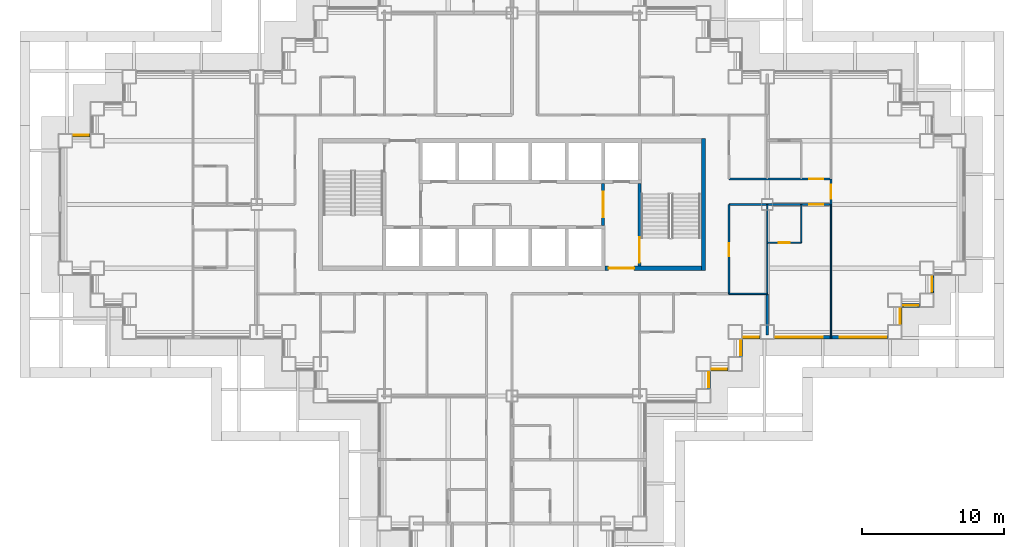
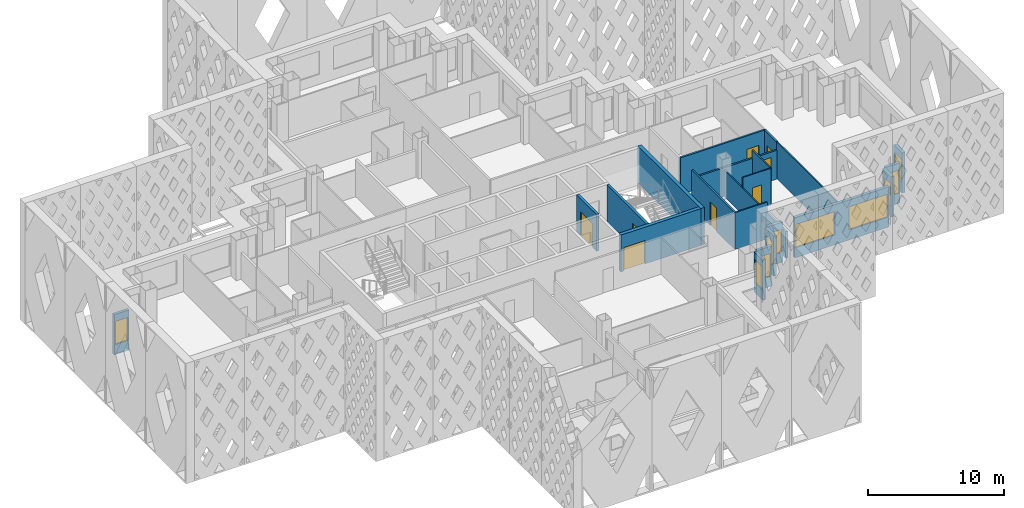
# One storey, part 6 of 19: 23 walls, 10 windows, 8 doors, 18 openings.
"""IFC4 building model written with IfcOpenShell, lengths in metres."""

from ifc_helpers import new_model, si_unit, direction, frame, frame_2d, origin, place, context, subcontext, project, spatial, rectangle, extrude, material, layer, layer_set, type_object, element, fill, save


model = new_model("IFC4")

# Units and contexts
model_context = context("Model", 3, precision=1e-05, world=origin(), true_north=direction((0.0, 1.0)))
body_context = subcontext(model_context, "Body", "Model", "MODEL_VIEW")
ifc_project = project(units=[si_unit("LENGTHUNIT", "METRE"), si_unit("AREAUNIT", "SQUARE_METRE"), si_unit("VOLUMEUNIT", "CUBIC_METRE"), si_unit("PLANEANGLEUNIT", "RADIAN"), si_unit("MASSUNIT", "GRAM", prefix="KILO")], contexts=[model_context])

# Site, building, storey
site_placement = place(None, origin())
site = spatial("IfcSite", under=ifc_project, at=site_placement, CompositionType="ELEMENT")
building_placement = place(site_placement, origin())
building = spatial("IfcBuilding", under=site, at=building_placement, Name="Caravel Reach Hotel and Residences", CompositionType="ELEMENT")
storey_placement = place(building_placement, frame((0.0, 0.0, 63.60009765625)))
storey = spatial("IfcBuildingStorey", under=building, at=storey_placement, Name="L14", CompositionType="ELEMENT", Elevation=63.60009765625)

# Wall, opening, door
ifc_material_1 = material(Name="Gypsum board on steel stud", Category="steel")
ifc_layer_1 = layer(ifc_material_1, 0.10009765625)
ifc_layer_set_1 = layer_set([ifc_layer_1], Name="Bathroom pod wall 100 mm")
wall_type_1 = type_object("IfcWallType", Name="Bathroom pod wall 100 mm", PredefinedType="PARTITIONING", material=ifc_layer_set_1)
wall_1_placement = place(storey_placement, frame((49.5, 24.300048828125, 0.0), z_axis=(0.0, 0.0, 1.0), x_axis=(1.0, 0.0, 0.0)))
wall_1 = element("IfcWall", 1, at=wall_1_placement, inside=storey, type_object=wall_type_1, Name="L14 wall w078", PredefinedType="PARTITIONING", context=body_context, shape_type="SweptSolid", body=[
    extrude(rectangle(XDim=2.39990234375, YDim=0.10009765625, at=frame_2d((1.199951171875, 0.0))), origin(), (0.0, 0.0, 1.0), 3.2998046875),
])
opening_1_placement = place(wall_1_placement, frame((0.800048828125, 0.0, 0.0)))
opening_1 = element("IfcOpeningElement", 2, at=opening_1_placement, cuts=wall_1, Name="Opening D14-020", PredefinedType="OPENING", context=body_context, shape_type="SweptSolid", body=[
    extrude(rectangle(XDim=0.800048828125, YDim=2.10009765625, at=frame_2d((0.39990234375, 1.050048828125))), frame((0.0, 0.06005859375, 0.0), z_axis=(0.0, -1.0, 0.0), x_axis=(1.0, 0.0, 0.0)), (0.0, 0.0, 1.0), 0.1201171875),
])
ifc_material_2 = material(Name="Timber and steel door leaf", Category="steel")
door_type_1 = type_object("IfcDoorType", Name="Bathroom door 800 x 2100", OperationType="SINGLE_SWING_LEFT", PredefinedType="DOOR", material=ifc_material_2)
door_1_placement = place(opening_1_placement, origin())
door_1 = element("IfcDoor", 3, at=door_1_placement, inside=storey, type_object=door_type_1, Name="door D14-020", OperationType="SINGLE_SWING_RIGHT", OverallHeight=2.10009765625, OverallWidth=0.800048828125, PredefinedType="DOOR", context=body_context, shape_type="SweptSolid", body=[
    extrude(rectangle(XDim=0.800048828125, YDim=2.10009765625, at=frame_2d((0.39990234375, 1.050048828125))), frame((0.0, 0.02490234375, 0.0), z_axis=(0.0, -1.0, 0.0), x_axis=(1.0, 0.0, 0.0)), (0.0, 0.0, 1.0), 0.050048828125),
])
fill(opening_1, door_1)

# Wall
wall_2_placement = place(storey_placement, frame((51.89990234375, 24.300048828125, 0.0), z_axis=(0.0, 0.0, 1.0), x_axis=(0.0, 1.0, 0.0)))
element("IfcWall", 4, at=wall_2_placement, inside=storey, type_object=wall_type_1, Name="L14 wall w104", PredefinedType="PARTITIONING", context=body_context, shape_type="SweptSolid", body=[
    extrude(rectangle(XDim=2.699951171875, YDim=0.10009765625, at=frame_2d((1.35009765625, 0.0))), origin(), (0.0, 0.0, 1.0), 3.2998046875),
])

# Wall, opening, door
ifc_material_3 = material(Name="Concrete C60", Category="concrete")
ifc_layer_2 = layer(ifc_material_3, 0.300048828125)
ifc_layer_set_2 = layer_set([ifc_layer_2], Name="Core wall 300 mm EI 120")
wall_type_2 = type_object("IfcWallType", Name="Core wall 300 mm EI 120", PredefinedType="SHEAR", material=ifc_layer_set_2)
wall_3_placement = place(storey_placement, frame((38.053466796875, 22.5, 0.0), z_axis=(0.0, 0.0, 1.0), x_axis=(1.0, 0.0, 0.0)))
wall_3 = element("IfcWall", 5, at=wall_3_placement, inside=storey, type_object=wall_type_2, Name="L14 core wall S2", PredefinedType="SHEAR", context=body_context, shape_type="SweptSolid", body=[
    extrude(rectangle(XDim=6.796630859375, YDim=0.300048828125, at=frame_2d((3.3984375, 0.0))), origin(), (0.0, 0.0, 1.0), 3.2998046875),
])
opening_2_placement = place(wall_3_placement, frame((0.2607421875, 0.0, 0.0)))
opening_2 = element("IfcOpeningElement", 6, at=opening_2_placement, cuts=wall_3, Name="Opening D14-014", PredefinedType="OPENING", context=body_context, shape_type="SweptSolid", body=[
    extrude(rectangle(XDim=1.800048828125, YDim=2.10009765625, at=frame_2d((0.89990234375, 1.050048828125))), frame((0.0, 0.159912109375, 0.0), z_axis=(0.0, -1.0, 0.0), x_axis=(1.0, 0.0, 0.0)), (0.0, 0.0, 1.0), 0.320068359375),
])
ifc_material_4 = material(Name="Steel fire door leaf", Category="steel")
door_type_2 = type_object("IfcDoorType", Name="Fire lobby door pair 1800 x 2100 EI 90", OperationType="DOUBLE_DOOR_SINGLE_SWING", PredefinedType="DOOR", material=ifc_material_4)
door_2_placement = place(opening_2_placement, origin())
door_2 = element("IfcDoor", 7, at=door_2_placement, inside=storey, type_object=door_type_2, Name="lobby S door pair to corridor", OperationType="DOUBLE_DOOR_SINGLE_SWING", OverallHeight=2.10009765625, OverallWidth=1.800048828125, PredefinedType="DOOR", context=body_context, shape_type="SweptSolid", body=[
    extrude(rectangle(XDim=1.800048828125, YDim=2.10009765625, at=frame_2d((0.89990234375, 1.050048828125))), frame((0.0, 0.02490234375, 0.0), z_axis=(0.0, -1.0, 0.0), x_axis=(1.0, 0.0, 0.0)), (0.0, 0.0, 1.0), 0.050048828125),
])
fill(opening_2, door_2)

# Wall
wall_4_placement = place(storey_placement, frame((45.0, 22.35009765625, 0.0), z_axis=(0.0, 0.0, 1.0), x_axis=(0.0, 1.0, 0.0)))
element("IfcWall", 8, at=wall_4_placement, inside=storey, type_object=wall_type_2, Name="L14 core wall E", PredefinedType="SHEAR", context=body_context, shape_type="SweptSolid", body=[
    extrude(rectangle(XDim=9.2998046875, YDim=0.300048828125, at=frame_2d((4.64990234375, 0.0))), origin(), (0.0, 0.0, 1.0), 3.2998046875),
])

# Wall, opening, door
ifc_material_5 = material(Name="Gypsum board on steel stud, fire-rated", Category="steel")
ifc_layer_3 = layer(ifc_material_5, 0.14990234375)
ifc_layer_set_3 = layer_set([ifc_layer_3], Name="Corridor wall 150 mm EI 60")
wall_type_3 = type_object("IfcWallType", Name="Corridor wall 150 mm EI 60", PredefinedType="PARTITIONING", material=ifc_layer_set_3)
wall_5_placement = place(storey_placement, frame((46.800048828125, 27.0, 0.0), z_axis=(0.0, 0.0, 1.0), x_axis=(1.0, 0.0, 0.0)))
wall_5 = element("IfcWall", 9, at=wall_5_placement, inside=storey, type_object=wall_type_3, Name="L14 wall w011", PredefinedType="PARTITIONING", context=body_context, shape_type="SweptSolid", body=[
    extrude(rectangle(XDim=7.199951171875, YDim=0.14990234375, at=frame_2d((3.60009765625, 0.0))), origin(), (0.0, 0.0, 1.0), 2.579833984375),
])
opening_3_placement = place(wall_5_placement, frame((5.64990234375, 0.0, 0.0)))
opening_3 = element("IfcOpeningElement", 10, at=opening_3_placement, cuts=wall_5, Name="Opening D14-019", PredefinedType="OPENING", context=body_context, shape_type="SweptSolid", body=[
    extrude(rectangle(XDim=1.0, YDim=2.10009765625, at=frame_2d((0.5, 1.050048828125))), frame((0.0, 0.0849609375, 0.0), z_axis=(0.0, -1.0, 0.0), x_axis=(1.0, 0.0, 0.0)), (0.0, 0.0, 1.0), 0.169921875),
])
ifc_material_6 = material(Name="Steel fire door leaf", Category="steel")
door_type_3 = type_object("IfcDoorType", Name="Guest room door 1000 x 2100 EI 30", OperationType="SINGLE_SWING_LEFT", PredefinedType="DOOR", material=ifc_material_6)
door_3_placement = place(opening_3_placement, origin())
door_3 = element("IfcDoor", 11, at=door_3_placement, inside=storey, type_object=door_type_3, Name="door D14-019", OperationType="SINGLE_SWING_RIGHT", OverallHeight=2.10009765625, OverallWidth=1.0, PredefinedType="DOOR", context=body_context, shape_type="SweptSolid", body=[
    extrude(rectangle(XDim=1.0, YDim=2.10009765625, at=frame_2d((0.5, 1.050048828125))), frame((0.0, 0.02490234375, 0.0), z_axis=(0.0, -1.0, 0.0), x_axis=(1.0, 0.0, 0.0)), (0.0, 0.0, 1.0), 0.050048828125),
])
fill(opening_3, door_3)

wall_6_placement = place(storey_placement, frame((46.800048828125, 28.800048828125, 0.0), z_axis=(0.0, 0.0, 1.0), x_axis=(1.0, 0.0, 0.0)))
wall_6 = element("IfcWall", 12, at=wall_6_placement, inside=storey, type_object=wall_type_3, Name="L14 wall w014", PredefinedType="PARTITIONING", context=body_context, shape_type="SweptSolid", body=[
    extrude(rectangle(XDim=7.199951171875, YDim=0.14990234375, at=frame_2d((3.60009765625, 0.0))), origin(), (0.0, 0.0, 1.0), 3.2998046875),
])
opening_4_placement = place(wall_6_placement, frame((5.64990234375, 0.0, 0.0)))
opening_4 = element("IfcOpeningElement", 13, at=opening_4_placement, cuts=wall_6, Name="Opening D14-021", PredefinedType="OPENING", context=body_context, shape_type="SweptSolid", body=[
    extrude(rectangle(XDim=1.0, YDim=2.10009765625, at=frame_2d((0.5, 1.050048828125))), frame((0.0, 0.0849609375, 0.0), z_axis=(0.0, -1.0, 0.0), x_axis=(1.0, 0.0, 0.0)), (0.0, 0.0, 1.0), 0.169921875),
])
door_4_placement = place(opening_4_placement, origin())
door_4 = element("IfcDoor", 14, at=door_4_placement, inside=storey, type_object=door_type_3, Name="door D14-021", OperationType="SINGLE_SWING_RIGHT", OverallHeight=2.10009765625, OverallWidth=1.0, PredefinedType="DOOR", context=body_context, shape_type="SweptSolid", body=[
    extrude(rectangle(XDim=1.0, YDim=2.10009765625, at=frame_2d((0.5, 1.050048828125))), frame((0.0, 0.02490234375, 0.0), z_axis=(0.0, -1.0, 0.0), x_axis=(1.0, 0.0, 0.0)), (0.0, 0.0, 1.0), 0.050048828125),
])
fill(opening_4, door_4)

wall_7_placement = place(storey_placement, frame((46.800048828125, 20.699951171875, 0.0), z_axis=(0.0, 0.0, 1.0), x_axis=(0.0, 1.0, 0.0)))
wall_7 = element("IfcWall", 15, at=wall_7_placement, inside=storey, type_object=wall_type_3, Name="L14 wall w035", PredefinedType="PARTITIONING", context=body_context, shape_type="SweptSolid", body=[
    extrude(rectangle(XDim=6.300048828125, YDim=0.14990234375, at=frame_2d((3.14990234375, 0.0))), origin(), (0.0, 0.0, 1.0), 3.2998046875),
])
opening_5_placement = place(wall_7_placement, frame((2.64990234375, 0.0, 0.0)))
opening_5 = element("IfcOpeningElement", 16, at=opening_5_placement, cuts=wall_7, Name="Opening D14-059", PredefinedType="OPENING", context=body_context, shape_type="SweptSolid", body=[
    extrude(rectangle(XDim=0.89990234375, YDim=2.10009765625, at=frame_2d((0.449951171875, 1.050048828125))), frame((0.0, 0.0849609375, 0.0), z_axis=(0.0, -1.0, 0.0), x_axis=(1.0, 0.0, 0.0)), (0.0, 0.0, 1.0), 0.169921875),
])
ifc_material_7 = material(Name="Timber and steel door leaf", Category="steel")
door_type_4 = type_object("IfcDoorType", Name="Door 900 x 2100 timber", OperationType="SINGLE_SWING_LEFT", PredefinedType="DOOR", material=ifc_material_7)
door_5_placement = place(opening_5_placement, origin())
door_5 = element("IfcDoor", 17, at=door_5_placement, inside=storey, type_object=door_type_4, Name="door D14-059", OperationType="SINGLE_SWING_LEFT", OverallHeight=2.10009765625, OverallWidth=0.89990234375, PredefinedType="DOOR", context=body_context, shape_type="SweptSolid", body=[
    extrude(rectangle(XDim=0.89990234375, YDim=2.10009765625, at=frame_2d((0.449951171875, 1.050048828125))), frame((0.0, 0.02490234375, 0.0), z_axis=(0.0, -1.0, 0.0), x_axis=(1.0, 0.0, 0.0)), (0.0, 0.0, 1.0), 0.050048828125),
])
fill(opening_5, door_5)

wall_8_placement = place(storey_placement, frame((54.0, 27.0, 0.0), z_axis=(0.0, 0.0, 1.0), x_axis=(0.0, 1.0, 0.0)))
wall_8 = element("IfcWall", 18, at=wall_8_placement, inside=storey, type_object=wall_type_3, Name="L14 wall w036", PredefinedType="PARTITIONING", context=body_context, shape_type="SweptSolid", body=[
    extrude(rectangle(XDim=1.800048828125, YDim=0.14990234375, at=frame_2d((0.89990234375, 0.0))), origin(), (0.0, 0.0, 1.0), 3.2998046875),
])
opening_6_placement = place(wall_8_placement, frame((0.39990234375, 0.0, 0.0)))
opening_6 = element("IfcOpeningElement", 19, at=opening_6_placement, cuts=wall_8, Name="Opening D14-038", PredefinedType="OPENING", context=body_context, shape_type="SweptSolid", body=[
    extrude(rectangle(XDim=1.0, YDim=2.10009765625, at=frame_2d((0.5, 1.050048828125))), frame((0.0, 0.0849609375, 0.0), z_axis=(0.0, -1.0, 0.0), x_axis=(1.0, 0.0, 0.0)), (0.0, 0.0, 1.0), 0.169921875),
])
door_6_placement = place(opening_6_placement, origin())
door_6 = element("IfcDoor", 20, at=door_6_placement, inside=storey, type_object=door_type_3, Name="door D14-038", OperationType="SINGLE_SWING_LEFT", OverallHeight=2.10009765625, OverallWidth=1.0, PredefinedType="DOOR", context=body_context, shape_type="SweptSolid", body=[
    extrude(rectangle(XDim=1.0, YDim=2.10009765625, at=frame_2d((0.5, 1.050048828125))), frame((0.0, 0.02490234375, 0.0), z_axis=(0.0, -1.0, 0.0), x_axis=(1.0, 0.0, 0.0)), (0.0, 0.0, 1.0), 0.050048828125),
])
fill(opening_6, door_6)

# Wall, opening, window
ifc_material_8 = material(Name="Insulated rainscreen wall, aluminium cladding", Category="aluminium")
ifc_layer_4 = layer(ifc_material_8, 0.25)
ifc_layer_set_4 = layer_set([ifc_layer_4], Name="EW1 Tower rainscreen wall")
wall_type_4 = type_object("IfcWallType", Name="EW1 Tower rainscreen wall", PredefinedType="SOLIDWALL", material=ifc_layer_set_4)
wall_9_placement = place(storey_placement, frame((45.375, 14.0, 0.0), z_axis=(0.0, 0.0, 1.0), x_axis=(0.0, 1.0, 0.0)))
wall_9 = element("IfcWall", 21, at=wall_9_placement, inside=storey, type_object=wall_type_4, Name="External wall L14 E12.1", PredefinedType="SOLIDWALL", context=body_context, shape_type="SweptSolid", body=[
    extrude(rectangle(XDim=1.25, YDim=0.25, at=frame_2d((0.625, 0.0))), origin(), (0.0, 0.0, 1.0), 3.599853515625),
])
opening_7_placement = place(wall_9_placement, frame((0.10009765625, 0.0, 0.89990234375)))
opening_7 = element("IfcOpeningElement", 22, at=opening_7_placement, cuts=wall_9, Name="Opening WN3", PredefinedType="OPENING", context=body_context, shape_type="SweptSolid", body=[
    extrude(rectangle(XDim=1.050048828125, YDim=2.080078125, at=frame_2d((0.52490234375, 1.0400390625))), frame((0.0, 0.135009765625, 0.0), z_axis=(0.0, -1.0, 0.0), x_axis=(1.0, 0.0, 0.0)), (0.0, 0.0, 1.0), 0.27001953125),
])
ifc_material_9 = material(Name="Dark low-e glazing in black aluminium frame", Category="aluminium")
window_type_1 = type_object("IfcWindowType", Name="Hotel suite corner window 1050 x 2080", PartitioningType="SINGLE_PANEL", PredefinedType="WINDOW", material=ifc_material_9)
window_1_placement = place(opening_7_placement, origin())
window_1 = element("IfcWindow", 23, at=window_1_placement, inside=storey, type_object=window_type_1, Name="Window L14 E12.1.1", OverallHeight=2.080078125, OverallWidth=1.050048828125, PartitioningType="SINGLE_PANEL", PredefinedType="WINDOW", context=body_context, shape_type="SweptSolid", body=[
    extrude(rectangle(XDim=1.050048828125, YDim=2.080078125, at=frame_2d((0.52490234375, 1.0400390625))), frame((0.0, 0.030029296875, 0.0), z_axis=(0.0, -1.0, 0.0), x_axis=(1.0, 0.0, 0.0)), (0.0, 0.0, 1.0), 0.06005859375),
])
fill(opening_7, window_1)

wall_10_placement = place(storey_placement, frame((45.5, 15.375, 0.0), z_axis=(0.0, 0.0, 1.0), x_axis=(1.0, 0.0, 0.0)))
wall_10 = element("IfcWall", 24, at=wall_10_placement, inside=storey, type_object=wall_type_4, Name="External wall L14 S13.1", PredefinedType="SOLIDWALL", context=body_context, shape_type="SweptSolid", body=[
    extrude(rectangle(XDim=1.25, YDim=0.25, at=frame_2d((0.625, 0.0))), origin(), (0.0, 0.0, 1.0), 3.599853515625),
])
opening_8_placement = place(wall_10_placement, frame((0.10009765625, 0.0, 0.89990234375)))
opening_8 = element("IfcOpeningElement", 25, at=opening_8_placement, cuts=wall_10, Name="Opening WN3", PredefinedType="OPENING", context=body_context, shape_type="SweptSolid", body=[
    extrude(rectangle(XDim=1.050048828125, YDim=2.080078125, at=frame_2d((0.52490234375, 1.0400390625))), frame((0.0, 0.135009765625, 0.0), z_axis=(0.0, -1.0, 0.0), x_axis=(1.0, 0.0, 0.0)), (0.0, 0.0, 1.0), 0.27001953125),
])
window_2_placement = place(opening_8_placement, origin())
window_2 = element("IfcWindow", 26, at=window_2_placement, inside=storey, type_object=window_type_1, Name="Window L14 S13.1.1", OverallHeight=2.080078125, OverallWidth=1.050048828125, PartitioningType="SINGLE_PANEL", PredefinedType="WINDOW", context=body_context, shape_type="SweptSolid", body=[
    extrude(rectangle(XDim=1.050048828125, YDim=2.080078125, at=frame_2d((0.52490234375, 1.0400390625))), frame((0.0, 0.030029296875, 0.0), z_axis=(0.0, -1.0, 0.0), x_axis=(1.0, 0.0, 0.0)), (0.0, 0.0, 1.0), 0.06005859375),
])
fill(opening_8, window_2)

wall_11_placement = place(storey_placement, frame((47.625, 16.25, 0.0), z_axis=(0.0, 0.0, 1.0), x_axis=(0.0, 1.0, 0.0)))
wall_11 = element("IfcWall", 27, at=wall_11_placement, inside=storey, type_object=wall_type_4, Name="External wall L14 E14.1", PredefinedType="SOLIDWALL", context=body_context, shape_type="SweptSolid", body=[
    extrude(rectangle(XDim=1.25, YDim=0.25, at=frame_2d((0.625, 0.0))), origin(), (0.0, 0.0, 1.0), 3.599853515625),
])
opening_9_placement = place(wall_11_placement, frame((0.10009765625, 0.0, 0.89990234375)))
opening_9 = element("IfcOpeningElement", 28, at=opening_9_placement, cuts=wall_11, Name="Opening WN3", PredefinedType="OPENING", context=body_context, shape_type="SweptSolid", body=[
    extrude(rectangle(XDim=1.050048828125, YDim=2.080078125, at=frame_2d((0.52490234375, 1.0400390625))), frame((0.0, 0.135009765625, 0.0), z_axis=(0.0, -1.0, 0.0), x_axis=(1.0, 0.0, 0.0)), (0.0, 0.0, 1.0), 0.27001953125),
])
window_3_placement = place(opening_9_placement, origin())
window_3 = element("IfcWindow", 29, at=window_3_placement, inside=storey, type_object=window_type_1, Name="Window L14 E14.1.1", OverallHeight=2.080078125, OverallWidth=1.050048828125, PartitioningType="SINGLE_PANEL", PredefinedType="WINDOW", context=body_context, shape_type="SweptSolid", body=[
    extrude(rectangle(XDim=1.050048828125, YDim=2.080078125, at=frame_2d((0.52490234375, 1.0400390625))), frame((0.0, 0.030029296875, 0.0), z_axis=(0.0, -1.0, 0.0), x_axis=(1.0, 0.0, 0.0)), (0.0, 0.0, 1.0), 0.06005859375),
])
fill(opening_9, window_3)

wall_12_placement = place(storey_placement, frame((47.75, 17.625, 0.0), z_axis=(0.0, 0.0, 1.0), x_axis=(1.0, 0.0, 0.0)))
wall_12 = element("IfcWall", 30, at=wall_12_placement, inside=storey, type_object=wall_type_4, Name="External wall L14 S15.1", PredefinedType="SOLIDWALL", context=body_context, shape_type="SweptSolid", body=[
    extrude(rectangle(XDim=1.25, YDim=0.25, at=frame_2d((0.625, 0.0))), origin(), (0.0, 0.0, 1.0), 3.599853515625),
])
opening_10_placement = place(wall_12_placement, frame((0.10009765625, 0.0, 0.89990234375)))
opening_10 = element("IfcOpeningElement", 31, at=opening_10_placement, cuts=wall_12, Name="Opening WN3", PredefinedType="OPENING", context=body_context, shape_type="SweptSolid", body=[
    extrude(rectangle(XDim=1.050048828125, YDim=2.080078125, at=frame_2d((0.52490234375, 1.0400390625))), frame((0.0, 0.135009765625, 0.0), z_axis=(0.0, -1.0, 0.0), x_axis=(1.0, 0.0, 0.0)), (0.0, 0.0, 1.0), 0.27001953125),
])
window_4_placement = place(opening_10_placement, origin())
window_4 = element("IfcWindow", 32, at=window_4_placement, inside=storey, type_object=window_type_1, Name="Window L14 S15.1.1", OverallHeight=2.080078125, OverallWidth=1.050048828125, PartitioningType="SINGLE_PANEL", PredefinedType="WINDOW", context=body_context, shape_type="SweptSolid", body=[
    extrude(rectangle(XDim=1.050048828125, YDim=2.080078125, at=frame_2d((0.52490234375, 1.0400390625))), frame((0.0, 0.030029296875, 0.0), z_axis=(0.0, -1.0, 0.0), x_axis=(1.0, 0.0, 0.0)), (0.0, 0.0, 1.0), 0.06005859375),
])
fill(opening_10, window_4)

# Wall, openings, windows
wall_13_placement = place(storey_placement, frame((50.0, 17.625, 0.0), z_axis=(0.0, 0.0, 1.0), x_axis=(1.0, 0.0, 0.0)))
wall_13 = element("IfcWall", 33, at=wall_13_placement, inside=storey, type_object=wall_type_4, Name="External wall L14 S15.2", PredefinedType="SOLIDWALL", context=body_context, shape_type="SweptSolid", body=[
    extrude(rectangle(XDim=8.0, YDim=0.25, at=frame_2d((4.0, 0.0))), origin(), (0.0, 0.0, 1.0), 3.599853515625),
])
opening_11_placement = place(wall_13_placement, frame((0.10009765625, 0.0, 0.89990234375)))
opening_11 = element("IfcOpeningElement", 34, at=opening_11_placement, cuts=wall_13, Name="Opening WN4", PredefinedType="OPENING", context=body_context, shape_type="SweptSolid", body=[
    extrude(rectangle(XDim=3.300048828125, YDim=2.080078125, at=frame_2d((1.64990234375, 1.0400390625))), frame((0.0, 0.135009765625, 0.0), z_axis=(0.0, -1.0, 0.0), x_axis=(1.0, 0.0, 0.0)), (0.0, 0.0, 1.0), 0.27001953125),
])
opening_12_placement = place(wall_13_placement, frame((4.60009765625, 0.0, 0.89990234375)))
opening_12 = element("IfcOpeningElement", 35, at=opening_12_placement, cuts=wall_13, Name="Opening WN4", PredefinedType="OPENING", context=body_context, shape_type="SweptSolid", body=[
    extrude(rectangle(XDim=3.300048828125, YDim=2.080078125, at=frame_2d((1.64990234375, 1.0400390625))), frame((0.0, 0.135009765625, 0.0), z_axis=(0.0, -1.0, 0.0), x_axis=(1.0, 0.0, 0.0)), (0.0, 0.0, 1.0), 0.27001953125),
])
ifc_material_10 = material(Name="Dark low-e glazing in black aluminium frame", Category="aluminium")
window_type_2 = type_object("IfcWindowType", Name="Hotel guest room window 3300 x 2080", PartitioningType="SINGLE_PANEL", PredefinedType="WINDOW", material=ifc_material_10)
window_5_placement = place(opening_11_placement, origin())
window_5 = element("IfcWindow", 36, at=window_5_placement, inside=storey, type_object=window_type_2, Name="Window L14 S15.2.1", OverallHeight=2.080078125, OverallWidth=3.300048828125, PartitioningType="SINGLE_PANEL", PredefinedType="WINDOW", context=body_context, shape_type="SweptSolid", body=[
    extrude(rectangle(XDim=3.300048828125, YDim=2.080078125, at=frame_2d((1.64990234375, 1.0400390625))), frame((0.0, 0.030029296875, 0.0), z_axis=(0.0, -1.0, 0.0), x_axis=(1.0, 0.0, 0.0)), (0.0, 0.0, 1.0), 0.06005859375),
])
fill(opening_11, window_5)
window_6_placement = place(opening_12_placement, origin())
window_6 = element("IfcWindow", 37, at=window_6_placement, inside=storey, type_object=window_type_2, Name="Window L14 S15.2.2", OverallHeight=2.080078125, OverallWidth=3.300048828125, PartitioningType="SINGLE_PANEL", PredefinedType="WINDOW", context=body_context, shape_type="SweptSolid", body=[
    extrude(rectangle(XDim=3.300048828125, YDim=2.080078125, at=frame_2d((1.64990234375, 1.0400390625))), frame((0.0, 0.030029296875, 0.0), z_axis=(0.0, -1.0, 0.0), x_axis=(1.0, 0.0, 0.0)), (0.0, 0.0, 1.0), 0.06005859375),
])
fill(opening_12, window_6)

# Wall, opening, window
wall_14_placement = place(storey_placement, frame((58.875, 18.5, 0.0), z_axis=(0.0, 0.0, 1.0), x_axis=(0.0, 1.0, 0.0)))
wall_14 = element("IfcWall", 38, at=wall_14_placement, inside=storey, type_object=wall_type_4, Name="External wall L14 E16.1", PredefinedType="SOLIDWALL", context=body_context, shape_type="SweptSolid", body=[
    extrude(rectangle(XDim=1.25, YDim=0.25, at=frame_2d((0.625, 0.0))), origin(), (0.0, 0.0, 1.0), 3.599853515625),
])
opening_13_placement = place(wall_14_placement, frame((0.10009765625, 0.0, 0.89990234375)))
opening_13 = element("IfcOpeningElement", 39, at=opening_13_placement, cuts=wall_14, Name="Opening WN3", PredefinedType="OPENING", context=body_context, shape_type="SweptSolid", body=[
    extrude(rectangle(XDim=1.050048828125, YDim=2.080078125, at=frame_2d((0.52490234375, 1.0400390625))), frame((0.0, 0.135009765625, 0.0), z_axis=(0.0, -1.0, 0.0), x_axis=(1.0, 0.0, 0.0)), (0.0, 0.0, 1.0), 0.27001953125),
])
window_7_placement = place(opening_13_placement, origin())
window_7 = element("IfcWindow", 40, at=window_7_placement, inside=storey, type_object=window_type_1, Name="Window L14 E16.1.1", OverallHeight=2.080078125, OverallWidth=1.050048828125, PartitioningType="SINGLE_PANEL", PredefinedType="WINDOW", context=body_context, shape_type="SweptSolid", body=[
    extrude(rectangle(XDim=1.050048828125, YDim=2.080078125, at=frame_2d((0.52490234375, 1.0400390625))), frame((0.0, 0.030029296875, 0.0), z_axis=(0.0, -1.0, 0.0), x_axis=(1.0, 0.0, 0.0)), (0.0, 0.0, 1.0), 0.06005859375),
])
fill(opening_13, window_7)

wall_15_placement = place(storey_placement, frame((59.0, 19.875, 0.0), z_axis=(0.0, 0.0, 1.0), x_axis=(1.0, 0.0, 0.0)))
wall_15 = element("IfcWall", 41, at=wall_15_placement, inside=storey, type_object=wall_type_4, Name="External wall L14 S17.1", PredefinedType="SOLIDWALL", context=body_context, shape_type="SweptSolid", body=[
    extrude(rectangle(XDim=1.25, YDim=0.25, at=frame_2d((0.625, 0.0))), origin(), (0.0, 0.0, 1.0), 3.599853515625),
])
opening_14_placement = place(wall_15_placement, frame((0.10009765625, 0.0, 0.89990234375)))
opening_14 = element("IfcOpeningElement", 42, at=opening_14_placement, cuts=wall_15, Name="Opening WN3", PredefinedType="OPENING", context=body_context, shape_type="SweptSolid", body=[
    extrude(rectangle(XDim=1.050048828125, YDim=2.080078125, at=frame_2d((0.52490234375, 1.0400390625))), frame((0.0, 0.135009765625, 0.0), z_axis=(0.0, -1.0, 0.0), x_axis=(1.0, 0.0, 0.0)), (0.0, 0.0, 1.0), 0.27001953125),
])
window_8_placement = place(opening_14_placement, origin())
window_8 = element("IfcWindow", 43, at=window_8_placement, inside=storey, type_object=window_type_1, Name="Window L14 S17.1.1", OverallHeight=2.080078125, OverallWidth=1.050048828125, PartitioningType="SINGLE_PANEL", PredefinedType="WINDOW", context=body_context, shape_type="SweptSolid", body=[
    extrude(rectangle(XDim=1.050048828125, YDim=2.080078125, at=frame_2d((0.52490234375, 1.0400390625))), frame((0.0, 0.030029296875, 0.0), z_axis=(0.0, -1.0, 0.0), x_axis=(1.0, 0.0, 0.0)), (0.0, 0.0, 1.0), 0.06005859375),
])
fill(opening_14, window_8)

wall_16_placement = place(storey_placement, frame((61.125, 20.75, 0.0), z_axis=(0.0, 0.0, 1.0), x_axis=(0.0, 1.0, 0.0)))
wall_16 = element("IfcWall", 44, at=wall_16_placement, inside=storey, type_object=wall_type_4, Name="External wall L14 E18.1", PredefinedType="SOLIDWALL", context=body_context, shape_type="SweptSolid", body=[
    extrude(rectangle(XDim=1.25, YDim=0.25, at=frame_2d((0.625, 0.0))), origin(), (0.0, 0.0, 1.0), 3.599853515625),
])
opening_15_placement = place(wall_16_placement, frame((0.10009765625, 0.0, 0.89990234375)))
opening_15 = element("IfcOpeningElement", 45, at=opening_15_placement, cuts=wall_16, Name="Opening WN3", PredefinedType="OPENING", context=body_context, shape_type="SweptSolid", body=[
    extrude(rectangle(XDim=1.050048828125, YDim=2.080078125, at=frame_2d((0.52490234375, 1.0400390625))), frame((0.0, 0.135009765625, 0.0), z_axis=(0.0, -1.0, 0.0), x_axis=(1.0, 0.0, 0.0)), (0.0, 0.0, 1.0), 0.27001953125),
])
window_9_placement = place(opening_15_placement, origin())
window_9 = element("IfcWindow", 46, at=window_9_placement, inside=storey, type_object=window_type_1, Name="Window L14 E18.1.1", OverallHeight=2.080078125, OverallWidth=1.050048828125, PartitioningType="SINGLE_PANEL", PredefinedType="WINDOW", context=body_context, shape_type="SweptSolid", body=[
    extrude(rectangle(XDim=1.050048828125, YDim=2.080078125, at=frame_2d((0.52490234375, 1.0400390625))), frame((0.0, 0.030029296875, 0.0), z_axis=(0.0, -1.0, 0.0), x_axis=(1.0, 0.0, 0.0)), (0.0, 0.0, 1.0), 0.06005859375),
])
fill(opening_15, window_9)

wall_17_placement = place(storey_placement, frame((1.75, 31.875, 0.0), z_axis=(0.0, 0.0, 1.0), x_axis=(-1.0, 0.0, 0.0)))
wall_17 = element("IfcWall", 47, at=wall_17_placement, inside=storey, type_object=wall_type_4, Name="External wall L14 N49.1", PredefinedType="SOLIDWALL", context=body_context, shape_type="SweptSolid", body=[
    extrude(rectangle(XDim=1.25, YDim=0.25, at=frame_2d((0.625, 0.0))), origin(), (0.0, 0.0, 1.0), 3.599853515625),
])
opening_16_placement = place(wall_17_placement, frame((0.10009765625, 0.0, 0.89990234375)))
opening_16 = element("IfcOpeningElement", 48, at=opening_16_placement, cuts=wall_17, Name="Opening WN3", PredefinedType="OPENING", context=body_context, shape_type="SweptSolid", body=[
    extrude(rectangle(XDim=1.050048828125, YDim=2.080078125, at=frame_2d((0.52490234375, 1.0400390625))), frame((0.0, 0.135009765625, 0.0), z_axis=(0.0, -1.0, 0.0), x_axis=(1.0, 0.0, 0.0)), (0.0, 0.0, 1.0), 0.27001953125),
])
window_10_placement = place(opening_16_placement, origin())
window_10 = element("IfcWindow", 49, at=window_10_placement, inside=storey, type_object=window_type_1, Name="Window L14 N49.1.1", OverallHeight=2.080078125, OverallWidth=1.050048828125, PartitioningType="SINGLE_PANEL", PredefinedType="WINDOW", context=body_context, shape_type="SweptSolid", body=[
    extrude(rectangle(XDim=1.050048828125, YDim=2.080078125, at=frame_2d((0.52490234375, 1.0400390625))), frame((0.0, 0.030029296875, 0.0), z_axis=(0.0, -1.0, 0.0), x_axis=(1.0, 0.0, 0.0)), (0.0, 0.0, 1.0), 0.06005859375),
])
fill(opening_16, window_10)

# Wall, opening, door
ifc_material_11 = material(Name="Autoclaved aerated block wall")
ifc_layer_5 = layer(ifc_material_11, 0.199951171875)
ifc_layer_set_5 = layer_set([ifc_layer_5], Name="Fire lobby wall 200 mm EI 120")
wall_type_5 = type_object("IfcWallType", Name="Fire lobby wall 200 mm EI 120", PredefinedType="PARTITIONING", material=ifc_layer_set_5)
wall_18_placement = place(storey_placement, frame((37.928466796875, 25.52490234375, 0.0), z_axis=(0.0, 0.0, 1.0), x_axis=(0.0, 1.0, 0.0)))
wall_18 = element("IfcWall", 50, at=wall_18_placement, inside=storey, type_object=wall_type_5, Name="L14 lobby E wall", PredefinedType="PARTITIONING", context=body_context, shape_type="SweptSolid", body=[
    extrude(rectangle(XDim=2.9501953125, YDim=0.199951171875, at=frame_2d((1.47509765625, 0.0))), origin(), (0.0, 0.0, 1.0), 3.2998046875),
])
opening_17_placement = place(wall_18_placement, frame((0.574951171875, 0.0, 0.0)))
opening_17 = element("IfcOpeningElement", 51, at=opening_17_placement, cuts=wall_18, Name="Opening D14-012", PredefinedType="OPENING", context=body_context, shape_type="SweptSolid", body=[
    extrude(rectangle(XDim=1.800048828125, YDim=2.10009765625, at=frame_2d((0.89990234375, 1.050048828125))), frame((0.0, 0.10986328125, 0.0), z_axis=(0.0, -1.0, 0.0), x_axis=(1.0, 0.0, 0.0)), (0.0, 0.0, 1.0), 0.219970703125),
])
door_7_placement = place(opening_17_placement, origin())
door_7 = element("IfcDoor", 52, at=door_7_placement, inside=storey, type_object=door_type_2, Name="lobby E door pair", OperationType="DOUBLE_DOOR_SINGLE_SWING", OverallHeight=2.10009765625, OverallWidth=1.800048828125, PredefinedType="DOOR", context=body_context, shape_type="SweptSolid", body=[
    extrude(rectangle(XDim=1.800048828125, YDim=2.10009765625, at=frame_2d((0.89990234375, 1.050048828125))), frame((0.0, 0.02490234375, 0.0), z_axis=(0.0, -1.0, 0.0), x_axis=(1.0, 0.0, 0.0)), (0.0, 0.0, 1.0), 0.050048828125),
])
fill(opening_17, door_7)

# Walls
ifc_material_12 = material(Name="Gypsum board on steel stud", Category="steel")
ifc_layer_6 = layer(ifc_material_12, 0.10009765625)
ifc_layer_set_6 = layer_set([ifc_layer_6], Name="Partition 100 mm")
wall_type_6 = type_object("IfcWallType", Name="Partition 100 mm", PredefinedType="PARTITIONING", material=ifc_layer_set_6)
wall_19_placement = place(storey_placement, frame((46.800048828125, 20.699951171875, 0.0), z_axis=(0.0, 0.0, 1.0), x_axis=(1.0, 0.0, 0.0)))
element("IfcWall", 53, at=wall_19_placement, inside=storey, type_object=wall_type_6, Name="L14 wall w041", PredefinedType="PARTITIONING", context=body_context, shape_type="SweptSolid", body=[
    extrude(rectangle(XDim=2.699951171875, YDim=0.10009765625, at=frame_2d((1.35009765625, 0.0))), origin(), (0.0, 0.0, 1.0), 3.2998046875),
])
wall_20_placement = place(storey_placement, frame((49.5, 20.699951171875, 0.0), z_axis=(0.0, 0.0, 1.0), x_axis=(0.0, 1.0, 0.0)))
element("IfcWall", 54, at=wall_20_placement, inside=storey, type_object=wall_type_6, Name="L14 wall w061", PredefinedType="PARTITIONING", context=body_context, shape_type="SweptSolid", body=[
    extrude(rectangle(XDim=6.300048828125, YDim=0.10009765625, at=frame_2d((3.14990234375, 0.0))), origin(), (0.0, 0.0, 1.0), 2.3798828125),
])
wall_21_placement = place(storey_placement, frame((54.0, 17.56005859375, 0.0), z_axis=(0.0, 0.0, 1.0), x_axis=(0.0, 1.0, 0.0)))
element("IfcWall", 55, at=wall_21_placement, inside=storey, type_object=wall_type_6, Name="L14 wall w063", PredefinedType="PARTITIONING", context=body_context, shape_type="SweptSolid", body=[
    extrude(rectangle(XDim=9.43994140625, YDim=0.10009765625, at=frame_2d((4.719970703125, 0.0))), origin(), (0.0, 0.0, 1.0), 3.2998046875),
])
ifc_material_13 = material(Name="Autoclaved aerated block wall")
ifc_layer_7 = layer(ifc_material_13, 0.199951171875)
ifc_layer_set_7 = layer_set([ifc_layer_7], Name="Party wall 200 mm EI 60")
wall_type_7 = type_object("IfcWallType", Name="Party wall 200 mm EI 60", PredefinedType="PARTITIONING", material=ifc_layer_set_7)
wall_22_placement = place(storey_placement, frame((49.5, 17.81005859375, 0.0), z_axis=(0.0, 0.0, 1.0), x_axis=(0.0, 1.0, 0.0)))
element("IfcWall", 56, at=wall_22_placement, inside=storey, type_object=wall_type_7, Name="L14 wall w072", PredefinedType="PARTITIONING", context=body_context, shape_type="SweptSolid", body=[
    extrude(rectangle(XDim=2.889892578125, YDim=0.199951171875, at=frame_2d((1.44482421875, 0.0))), origin(), (0.0, 0.0, 1.0), 2.3798828125),
])

# Wall, opening, door
ifc_material_14 = material(Name="Concrete C60", Category="concrete")
ifc_layer_8 = layer(ifc_material_14, 0.199951171875)
ifc_layer_set_8 = layer_set([ifc_layer_8], Name="Stair enclosure wall 200 mm EI 120")
wall_type_8 = type_object("IfcWallType", Name="Stair enclosure wall 200 mm EI 120", PredefinedType="SHEAR", material=ifc_layer_set_8)
wall_23_placement = place(storey_placement, frame((40.5, 22.64990234375, 0.0), z_axis=(0.0, 0.0, 1.0), x_axis=(0.0, 1.0, 0.0)))
wall_23 = element("IfcWall", 57, at=wall_23_placement, inside=storey, type_object=wall_type_8, Name="L14 stair B wall", PredefinedType="SHEAR", context=body_context, shape_type="SweptSolid", body=[
    extrude(rectangle(XDim=5.8251953125, YDim=0.199951171875, at=frame_2d((2.91259765625, 0.0))), origin(), (0.0, 0.0, 1.0), 3.2998046875),
])
opening_18_placement = place(wall_23_placement, frame((0.25, 0.0, 0.0)))
opening_18 = element("IfcOpeningElement", 58, at=opening_18_placement, cuts=wall_23, Name="Opening D14-010", PredefinedType="OPENING", context=body_context, shape_type="SweptSolid", body=[
    extrude(rectangle(XDim=1.800048828125, YDim=2.10009765625, at=frame_2d((0.89990234375, 1.050048828125))), frame((0.0, 0.10986328125, 0.0), z_axis=(0.0, -1.0, 0.0), x_axis=(1.0, 0.0, 0.0)), (0.0, 0.0, 1.0), 0.219970703125),
])
ifc_material_15 = material(Name="Steel fire door leaf", Category="steel")
door_type_5 = type_object("IfcDoorType", Name="Stair door pair 1800 x 2100 EI 90", OperationType="DOUBLE_DOOR_SINGLE_SWING", PredefinedType="DOOR", material=ifc_material_15)
door_8_placement = place(opening_18_placement, origin())
door_8 = element("IfcDoor", 59, at=door_8_placement, inside=storey, type_object=door_type_5, Name="stair B door pair", OperationType="DOUBLE_DOOR_SINGLE_SWING", OverallHeight=2.10009765625, OverallWidth=1.800048828125, PredefinedType="DOOR", context=body_context, shape_type="SweptSolid", body=[
    extrude(rectangle(XDim=1.800048828125, YDim=2.10009765625, at=frame_2d((0.89990234375, 1.050048828125))), frame((0.0, 0.02490234375, 0.0), z_axis=(0.0, -1.0, 0.0), x_axis=(1.0, 0.0, 0.0)), (0.0, 0.0, 1.0), 0.050048828125),
])
fill(opening_18, door_8)

save(model, "model.ifc")
